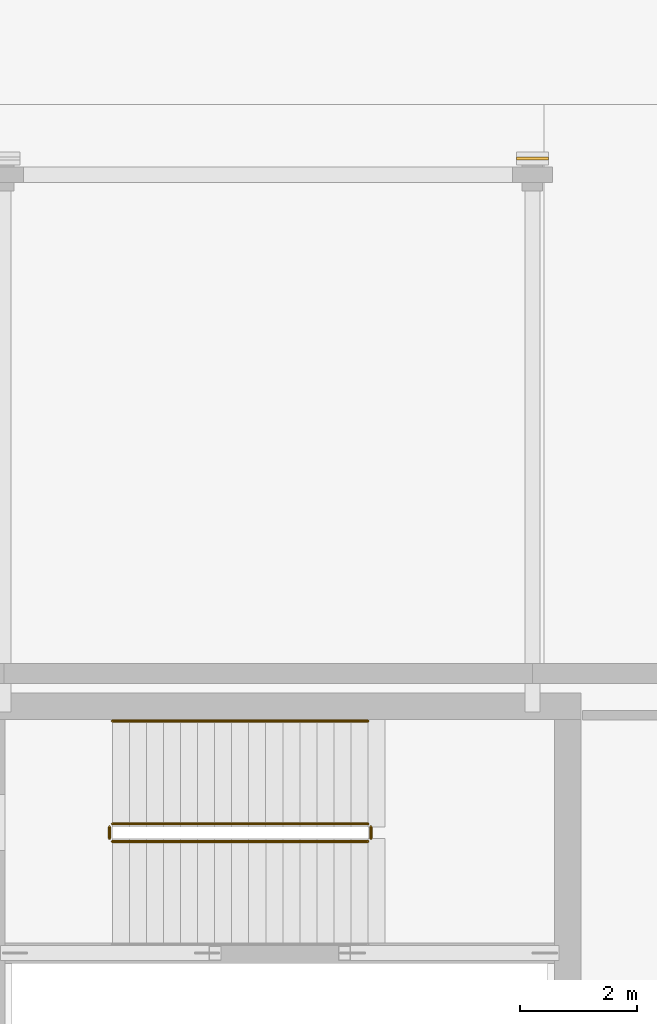
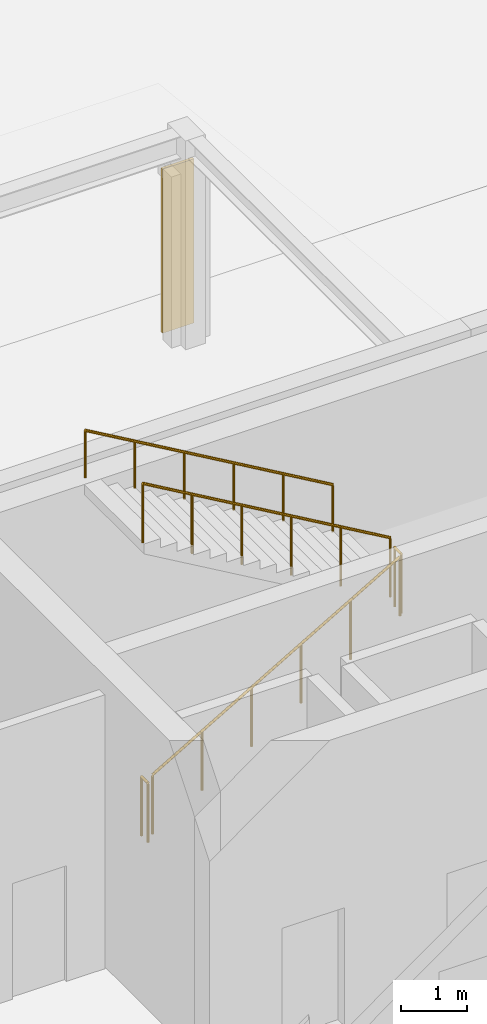
# One storey, part 89 of 94: 5 railings, 1 covering.
"""IFC4 building model written with IfcOpenShell, lengths in metres."""

from ifc_helpers import new_model, si_unit, direction, frame, origin, origin_2d, place, context, subcontext, project, spatial, rectangle, circle, extrude, material, layer, layer_set, type_object, element, save


model = new_model("IFC4")

# Units and contexts
model_context = context("Model", 3, precision=1e-05, world=origin(), true_north=direction((0.0, 1.0)))
body_context = subcontext(model_context, "Body", "Model", "MODEL_VIEW")
ifc_project = project(units=[si_unit("LENGTHUNIT", "METRE"), si_unit("AREAUNIT", "SQUARE_METRE"), si_unit("VOLUMEUNIT", "CUBIC_METRE"), si_unit("PLANEANGLEUNIT", "RADIAN"), si_unit("MASSUNIT", "GRAM", prefix="KILO")], contexts=[model_context])

# Site, building, storey
site_placement = place(None, origin())
site = spatial("IfcSite", under=ifc_project, at=site_placement, CompositionType="ELEMENT")
building_placement = place(site_placement, origin())
building = spatial("IfcBuilding", under=site, at=building_placement, Name="Sollismere Congress Hotel", CompositionType="ELEMENT")
storey_placement = place(building_placement, origin())
storey = spatial("IfcBuildingStorey", under=building, at=storey_placement, Name="L00", CompositionType="ELEMENT", Elevation=0.0)

# Covering
ifc_material_1 = material(Name="Carved Anatolian Limestone Column Cladding", Category="masonry")
ifc_layer = layer(ifc_material_1, 0.050048828125, Name="Carved Anatolian Limestone Column Cladding")
ifc_layer_set = layer_set([ifc_layer], Name="Carved Anatolian Limestone Column Cladding")
covering_type = type_object("IfcCoveringType", Name="COV-CLAD", PredefinedType="CLADDING", material=ifc_layer_set)
covering_placement = place(storey_placement, frame((103.0, 27.875, 0.02490234375), z_axis=(0.0, 0.0, 1.0), x_axis=(1.0, 0.0, 0.0)))
element("IfcCovering", 1, at=covering_placement, inside=storey, type_object=covering_type, Name="COV-CL-05", PredefinedType="CLADDING", context=body_context, shape_type="SweptSolid", body=[
    extrude(rectangle(XDim=0.550048828125, YDim=0.050048828125, at=origin_2d()), origin(), (0.0, 0.0, 1.0), 3.050048828125),
])

# Railings
ifc_material_2 = material(Name="Steel ASTM A500 Grade C", Category="steel")
railing_type_1 = type_object("IfcRailingType", Name="RL-GRD112", PredefinedType="GUARDRAIL", material=ifc_material_2)
railing_1_placement = place(storey_placement, frame((95.85009765625, 16.25, 0.168701171875)))
element("IfcRailing", 2, at=railing_1_placement, inside=storey, type_object=railing_type_1, Name="RLG-RG-ST-02-L00-1", PredefinedType="GUARDRAIL", context=body_context, shape_type="SweptSolid", body=[
    extrude(circle(Radius=0.02392578125, at=origin_2d()), frame((0.0, 0.0, 1.09619140625), z_axis=(0.864311530196, 0.0, 0.502956835891), x_axis=(0.0, 1.0, 0.0)), (0.0, 0.0, 1.0), 5.03271484375),
    extrude(circle(Radius=0.02099609375, at=origin_2d()), origin(), (0.0, 0.0, 1.0), 1.072021484375),
    extrude(circle(Radius=0.02099609375, at=origin_2d()), frame((0.869873046875, 0.0, 0.50634765625)), (0.0, 0.0, 1.0), 1.072021484375),
    extrude(circle(Radius=0.02099609375, at=origin_2d()), frame((1.739990234375, 0.0, 1.012451171875)), (0.0, 0.0, 1.0), 1.072021484375),
    extrude(circle(Radius=0.02099609375, at=origin_2d()), frame((2.60986328125, 0.0, 1.518798828125)), (0.0, 0.0, 1.0), 1.072021484375),
    extrude(circle(Radius=0.02099609375, at=origin_2d()), frame((3.47998046875, 0.0, 2.02490234375)), (0.0, 0.0, 1.0), 1.072021484375),
    extrude(circle(Radius=0.02099609375, at=origin_2d()), frame((4.349853515625, 0.0, 2.53125)), (0.0, 0.0, 1.0), 1.072021484375),
])
railing_2_placement = place(storey_placement, frame((100.25, 16.300048828125, 2.699951171875)))
element("IfcRailing", 3, at=railing_2_placement, inside=storey, type_object=railing_type_1, Name="RLG-RG-ST-02-L00-2", PredefinedType="GUARDRAIL", context=body_context, shape_type="SweptSolid", body=[
    extrude(circle(Radius=0.02392578125, at=origin_2d()), frame((0.0, 0.0, 1.09619140625), z_axis=(0.0, 1.0, 0.0), x_axis=(-1.0, 0.0, 0.0)), (0.0, 0.0, 1.0), 0.199951171875),
    extrude(circle(Radius=0.02099609375, at=origin_2d()), origin(), (0.0, 0.0, 1.0), 1.072021484375),
    extrude(circle(Radius=0.02099609375, at=origin_2d()), frame((0.0, 0.199951171875, 0.0)), (0.0, 0.0, 1.0), 1.072021484375),
])
railing_3_placement = place(storey_placement, frame((100.199951171875, 16.550048828125, 2.86865234375)))
element("IfcRailing", 4, at=railing_3_placement, inside=storey, type_object=railing_type_1, Name="RLG-RG-ST-02-L00-3", PredefinedType="GUARDRAIL", context=body_context, shape_type="SweptSolid", body=[
    extrude(circle(Radius=0.02392578125, at=origin_2d()), frame((0.0, 0.0, 1.09619140625), z_axis=(-0.864311530196, 0.0, 0.502956835891), x_axis=(0.0, -1.0, 0.0)), (0.0, 0.0, 1.0), 5.03271484375),
    extrude(circle(Radius=0.02099609375, at=origin_2d()), origin(), (0.0, 0.0, 1.0), 1.072021484375),
    extrude(circle(Radius=0.02099609375, at=origin_2d()), frame((-0.869873046875, 0.0, 0.50634765625)), (0.0, 0.0, 1.0), 1.072021484375),
    extrude(circle(Radius=0.02099609375, at=origin_2d()), frame((-1.739990234375, 0.0, 1.012451171875)), (0.0, 0.0, 1.0), 1.072021484375),
    extrude(circle(Radius=0.02099609375, at=origin_2d()), frame((-2.60986328125, 0.0, 1.518798828125)), (0.0, 0.0, 1.0), 1.072021484375),
    extrude(circle(Radius=0.02099609375, at=origin_2d()), frame((-3.47998046875, 0.0, 2.02490234375)), (0.0, 0.0, 1.0), 1.072021484375),
    extrude(circle(Radius=0.02099609375, at=origin_2d()), frame((-4.349853515625, 0.0, 2.53125)), (0.0, 0.0, 1.0), 1.072021484375),
])
railing_4_placement = place(storey_placement, frame((95.800048828125, 16.300048828125, 0.0)))
element("IfcRailing", 5, at=railing_4_placement, inside=storey, type_object=railing_type_1, Name="RLG-RG-ST-02-L00-4", PredefinedType="GUARDRAIL", context=body_context, shape_type="SweptSolid", body=[
    extrude(circle(Radius=0.02392578125, at=origin_2d()), frame((0.0, 0.0, 1.09619140625), z_axis=(0.0, 1.0, 0.0), x_axis=(-1.0, 0.0, 0.0)), (0.0, 0.0, 1.0), 0.199951171875),
    extrude(circle(Radius=0.02099609375, at=origin_2d()), origin(), (0.0, 0.0, 1.0), 1.072021484375),
    extrude(circle(Radius=0.02099609375, at=origin_2d()), frame((0.0, 0.199951171875, 0.0)), (0.0, 0.0, 1.0), 1.072021484375),
])
ifc_material_3 = material(Name="Brushed Architectural Bronze")
railing_type_2 = type_object("IfcRailingType", Name="RL-HND90", PredefinedType="HANDRAIL", material=ifc_material_3)
railing_5_placement = place(storey_placement, frame((100.199951171875, 18.300048828125, 3.013427734375)))
element("IfcRailing", 6, at=railing_5_placement, inside=storey, type_object=railing_type_2, Name="RLG-RH-ST-02-L00-2", PredefinedType="HANDRAIL", context=body_context, shape_type="SweptSolid", body=[
    extrude(circle(Radius=0.02392578125, at=origin_2d()), frame((0.0, 0.0, 0.8759765625), z_axis=(-0.864311530196, 0.0, 0.502956835891), x_axis=(0.0, -1.0, 0.0)), (0.0, 0.0, 1.0), 5.03271484375),
    extrude(circle(Radius=0.02099609375, at=origin_2d()), origin(), (0.0, 0.0, 1.0), 0.851806640625),
    extrude(circle(Radius=0.02099609375, at=origin_2d()), frame((-0.869873046875, 0.0, 0.50634765625)), (0.0, 0.0, 1.0), 0.851806640625),
    extrude(circle(Radius=0.02099609375, at=origin_2d()), frame((-1.739990234375, 0.0, 1.012451171875)), (0.0, 0.0, 1.0), 0.851806640625),
    extrude(circle(Radius=0.02099609375, at=origin_2d()), frame((-2.60986328125, 0.0, 1.518798828125)), (0.0, 0.0, 1.0), 0.851806640625),
    extrude(circle(Radius=0.02099609375, at=origin_2d()), frame((-3.47998046875, 0.0, 2.02490234375)), (0.0, 0.0, 1.0), 0.851806640625),
    extrude(circle(Radius=0.02099609375, at=origin_2d()), frame((-4.349853515625, 0.0, 2.53125)), (0.0, 0.0, 1.0), 0.851806640625),
])

save(model, "model.ifc")
